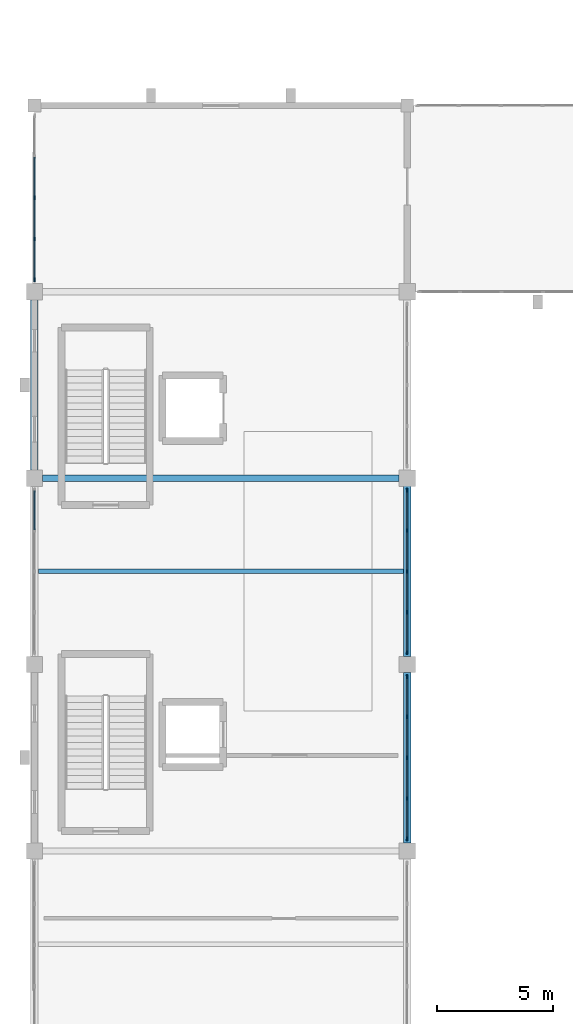
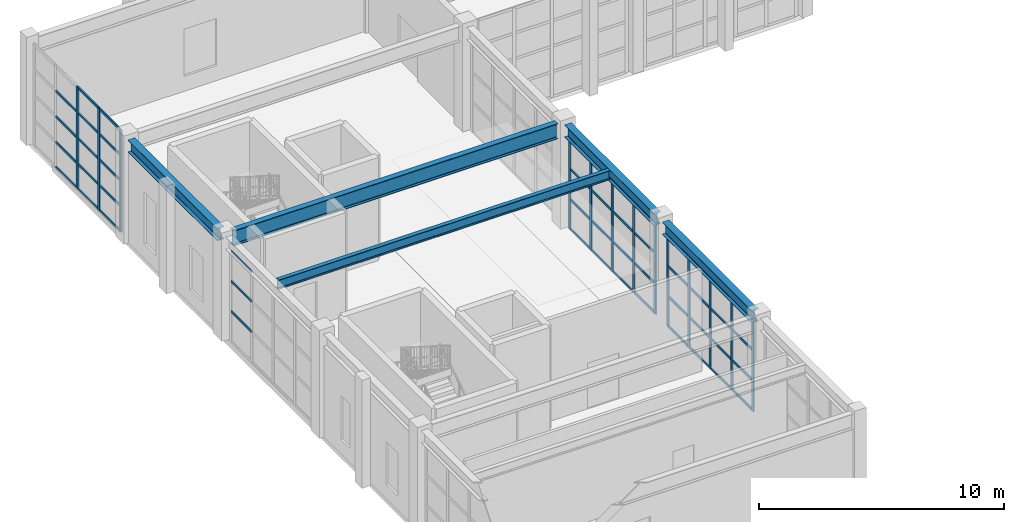
# One storey, part 15 of 82: 62 members, 5 beams, 4 elements without a shape of their own.
"""IFC4 building model written with IfcOpenShell, lengths in metres."""

from ifc_helpers import new_model, si_unit, direction, frame, origin, origin_2d, place, context, subcontext, project, spatial, rectangle, i_section, extrude, material, material_profile, profile_set, type_object, element, aggregate, save


model = new_model("IFC4")

# Units and contexts
model_context = context("Model", 3, precision=1e-05, world=origin(), true_north=direction((0.0, 1.0)))
body_context = subcontext(model_context, "Body", "Model", "MODEL_VIEW")
ifc_project = project(units=[si_unit("LENGTHUNIT", "METRE"), si_unit("AREAUNIT", "SQUARE_METRE"), si_unit("VOLUMEUNIT", "CUBIC_METRE"), si_unit("PLANEANGLEUNIT", "RADIAN"), si_unit("MASSUNIT", "GRAM", prefix="KILO")], contexts=[model_context])

# Site, building, storey
site_placement = place(None, origin())
site = spatial("IfcSite", under=ifc_project, at=site_placement, CompositionType="ELEMENT")
building_placement = place(site_placement, origin())
building = spatial("IfcBuilding", under=site, at=building_placement, Name="Serraluz Foothill Cableway Terminal", CompositionType="ELEMENT")
storey_placement = place(building_placement, frame((0.0, 0.0, 9.60009765625)))
storey = spatial("IfcBuildingStorey", under=building, at=storey_placement, Name="L02", CompositionType="ELEMENT", Elevation=9.60009765625)

# Beams
ifc_material_1 = material(Name="Steel ASTM A992 Grade 50", Category="steel")
ifc_material_profile_1 = material_profile(ifc_material_1, i_section(OverallWidth=0.324951171875, OverallDepth=0.615966796875, WebThickness=0.013916015625, FlangeThickness=0.021484375, FilletRadius=0.01806640625, at=origin_2d()), Name="W24X117")
ifc_profile_set_1 = profile_set([ifc_material_profile_1], Name="Steel ASTM A992 Grade 50")
beam_type_1 = type_object("IfcBeamType", Name="TYP-BM-W24X117", PredefinedType="BEAM", material=ifc_profile_set_1)
for number, where, z_axis, x_axis, name in (
    (1, (0.0, 48.345947265625, 4.841796875), (0.0, 1.0, 0.0), (-1.0, 0.0, 0.0), "Transverse Girder BM-Y-L02-0325"),
    (2, (16.0, 32.345947265625, 4.841796875), (0.0, 1.0, 0.0), (-1.0, 0.0, 0.0), "Transverse Girder BM-Y-L02-0327"),
    (3, (16.0, 40.345947265625, 4.841796875), (0.0, 1.0, 0.0), (-1.0, 0.0, 0.0), "Transverse Girder BM-Y-L02-0328"),
):
    element("IfcBeam", number, at=place(storey_placement, frame(where, z_axis=z_axis, x_axis=x_axis)), inside=storey, type_object=beam_type_1, Name=name, PredefinedType="BEAM", context=body_context, shape_type="SweptSolid", body=[
        extrude(i_section(OverallWidth=0.324951171875, OverallDepth=0.615966796875, WebThickness=0.013916015625, FlangeThickness=0.021484375, FilletRadius=0.01806640625, at=origin_2d()), origin(), (0.0, 0.0, 1.0), 7.30810546875),
    ])
ifc_material_profile_2 = material_profile(ifc_material_1, i_section(OverallWidth=0.26806640625, OverallDepth=0.77001953125, WebThickness=0.015625, FlangeThickness=0.025390625, FilletRadius=0.02197265625, at=origin_2d()), Name="W30X132")
ifc_profile_set_2 = profile_set([ifc_material_profile_2], Name="Steel ASTM A992 Grade 50")
beam_type_2 = type_object("IfcBeamType", Name="TYP-BM-W30X132", PredefinedType="BEAM", material=ifc_profile_set_2)
beam_1_placement = place(storey_placement, frame((0.345947265625, 48.0, 4.764892578125), z_axis=(1.0, 0.0, 0.0), x_axis=(0.0, 1.0, 0.0)))
element("IfcBeam", 4, at=beam_1_placement, inside=storey, type_object=beam_type_2, Name="Primary Girder BM-X-L02-0306", PredefinedType="BEAM", context=body_context, shape_type="SweptSolid", body=[
    extrude(i_section(OverallWidth=0.26806640625, OverallDepth=0.77001953125, WebThickness=0.015625, FlangeThickness=0.025390625, FilletRadius=0.02197265625, at=origin_2d()), origin(), (0.0, 0.0, 1.0), 15.30810546875),
])

# Curtain wall, members
ifc_material_2 = material(Name="Architectural bronze alloy C28000", Category="aluminium")
curtain_wall_type_1 = type_object("IfcCurtainWallType", Name="TYP-CW-680X420", PredefinedType="NOTDEFINED", material=ifc_material_2)
curtain_wall_1_placement = place(storey_placement, origin())
curtain_wall_1 = element("IfcCurtainWall", 5, at=curtain_wall_1_placement, inside=storey, type_object=curtain_wall_type_1, Name="Ribbed Glazed Curtain Wall CW-V5E-L02-32", PredefinedType="NOTDEFINED")
ifc_material_profile_3 = material_profile(ifc_material_2, rectangle(XDim=0.06005859375, YDim=0.159912109375, at=origin_2d()), Name="ALU MULLION 60x160")
ifc_profile_set_3 = profile_set([ifc_material_profile_3], Name="Architectural bronze alloy C28000")
member_type_1 = type_object("IfcMemberType", Name="TYP-CW-MUL-60X160", PredefinedType="MULLION", material=ifc_profile_set_3)
member_1_placement = place(storey_placement, frame((16.0, 39.47998046875, 0.0), z_axis=(0.0, 0.0, 1.0), x_axis=(1.0, 0.0, 0.0)))
member_1 = element("IfcMember", 6, at=member_1_placement, type_object=member_type_1, Name="CW-13 mullion 1", PredefinedType="MULLION", context=body_context, shape_type="SweptSolid", body=[
    extrude(rectangle(XDim=0.06005859375, YDim=0.159912109375, at=origin_2d()), origin(), (0.0, 0.0, 1.0), 4.533935546875),
])
member_2_placement = place(storey_placement, frame((16.0, 37.7548828125, 0.0), z_axis=(0.0, 0.0, 1.0), x_axis=(1.0, 0.0, 0.0)))
member_2 = element("IfcMember", 7, at=member_2_placement, type_object=member_type_1, Name="CW-13 mullion 2", PredefinedType="MULLION", context=body_context, shape_type="SweptSolid", body=[
    extrude(rectangle(XDim=0.06005859375, YDim=0.159912109375, at=origin_2d()), origin(), (0.0, 0.0, 1.0), 4.533935546875),
])
member_3_placement = place(storey_placement, frame((16.0, 36.0, 0.0), z_axis=(0.0, 0.0, 1.0), x_axis=(1.0, 0.0, 0.0)))
member_3 = element("IfcMember", 8, at=member_3_placement, type_object=member_type_1, Name="CW-13 mullion 3", PredefinedType="MULLION", context=body_context, shape_type="SweptSolid", body=[
    extrude(rectangle(XDim=0.06005859375, YDim=0.159912109375, at=origin_2d()), origin(), (0.0, 0.0, 1.0), 4.533935546875),
])
member_4_placement = place(storey_placement, frame((16.0, 34.2451171875, 0.0), z_axis=(0.0, 0.0, 1.0), x_axis=(1.0, 0.0, 0.0)))
member_4 = element("IfcMember", 9, at=member_4_placement, type_object=member_type_1, Name="CW-13 mullion 4", PredefinedType="MULLION", context=body_context, shape_type="SweptSolid", body=[
    extrude(rectangle(XDim=0.06005859375, YDim=0.159912109375, at=origin_2d()), origin(), (0.0, 0.0, 1.0), 4.533935546875),
])
member_5_placement = place(storey_placement, frame((16.0, 32.52001953125, 0.0), z_axis=(0.0, 0.0, 1.0), x_axis=(1.0, 0.0, 0.0)))
member_5 = element("IfcMember", 10, at=member_5_placement, type_object=member_type_1, Name="CW-13 mullion 5", PredefinedType="MULLION", context=body_context, shape_type="SweptSolid", body=[
    extrude(rectangle(XDim=0.06005859375, YDim=0.159912109375, at=origin_2d()), origin(), (0.0, 0.0, 1.0), 4.533935546875),
])

curtain_wall_type_2 = type_object("IfcCurtainWallType", Name="TYP-CW-480X380", PredefinedType="NOTDEFINED", material=ifc_material_2)
curtain_wall_2_placement = place(storey_placement, origin())
curtain_wall_2 = element("IfcCurtainWall", 11, at=curtain_wall_2_placement, inside=storey, type_object=curtain_wall_type_2, Name="Ribbed Glazed Curtain Wall CW-V5E-L02-40", PredefinedType="NOTDEFINED")
member_6_placement = place(storey_placement, frame((16.0, 47.47998046875, 0.0), z_axis=(0.0, 0.0, 1.0), x_axis=(1.0, 0.0, 0.0)))
member_6 = element("IfcMember", 12, at=member_6_placement, type_object=member_type_1, Name="CW-14 mullion 1", PredefinedType="MULLION", context=body_context, shape_type="SweptSolid", body=[
    extrude(rectangle(XDim=0.06005859375, YDim=0.159912109375, at=origin_2d()), origin(), (0.0, 0.0, 1.0), 4.533935546875),
])
member_7_placement = place(storey_placement, frame((16.0, 45.7548828125, 0.0), z_axis=(0.0, 0.0, 1.0), x_axis=(1.0, 0.0, 0.0)))
member_7 = element("IfcMember", 13, at=member_7_placement, type_object=member_type_1, Name="CW-14 mullion 2", PredefinedType="MULLION", context=body_context, shape_type="SweptSolid", body=[
    extrude(rectangle(XDim=0.06005859375, YDim=0.159912109375, at=origin_2d()), origin(), (0.0, 0.0, 1.0), 4.533935546875),
])
member_8_placement = place(storey_placement, frame((16.0, 44.0, 0.0), z_axis=(0.0, 0.0, 1.0), x_axis=(1.0, 0.0, 0.0)))
member_8 = element("IfcMember", 14, at=member_8_placement, type_object=member_type_1, Name="CW-14 mullion 3", PredefinedType="MULLION", context=body_context, shape_type="SweptSolid", body=[
    extrude(rectangle(XDim=0.06005859375, YDim=0.159912109375, at=origin_2d()), origin(), (0.0, 0.0, 1.0), 4.533935546875),
])
member_9_placement = place(storey_placement, frame((16.0, 42.2451171875, 0.0), z_axis=(0.0, 0.0, 1.0), x_axis=(1.0, 0.0, 0.0)))
member_9 = element("IfcMember", 15, at=member_9_placement, type_object=member_type_1, Name="CW-14 mullion 4", PredefinedType="MULLION", context=body_context, shape_type="SweptSolid", body=[
    extrude(rectangle(XDim=0.06005859375, YDim=0.159912109375, at=origin_2d()), origin(), (0.0, 0.0, 1.0), 4.533935546875),
])
member_10_placement = place(storey_placement, frame((16.0, 40.52001953125, 0.0), z_axis=(0.0, 0.0, 1.0), x_axis=(1.0, 0.0, 0.0)))
member_10 = element("IfcMember", 16, at=member_10_placement, type_object=member_type_1, Name="CW-14 mullion 5", PredefinedType="MULLION", context=body_context, shape_type="SweptSolid", body=[
    extrude(rectangle(XDim=0.06005859375, YDim=0.159912109375, at=origin_2d()), origin(), (0.0, 0.0, 1.0), 4.533935546875),
])

curtain_wall_type_3 = type_object("IfcCurtainWallType", Name="TYP-CW-540X420", PredefinedType="NOTDEFINED", material=ifc_material_2)
curtain_wall_3_placement = place(storey_placement, origin())
curtain_wall_3 = element("IfcCurtainWall", 17, at=curtain_wall_3_placement, inside=storey, type_object=curtain_wall_type_3, Name="Ribbed Glazed Curtain Wall CW-V5W-L02-56", PredefinedType="NOTDEFINED")
member_11_placement = place(storey_placement, frame((0.0, 56.52001953125, 0.0), z_axis=(0.0, 0.0, 1.0), x_axis=(-1.0, 0.0, 0.0)))
member_11 = element("IfcMember", 18, at=member_11_placement, type_object=member_type_1, Name="CW-10 mullion 1", PredefinedType="MULLION", context=body_context, shape_type="SweptSolid", body=[
    extrude(rectangle(XDim=0.06005859375, YDim=0.159912109375, at=origin_2d()), origin(), (0.0, 0.0, 1.0), 5.099853515625),
])
member_12_placement = place(storey_placement, frame((0.0, 58.263671875, 0.0), z_axis=(0.0, 0.0, 1.0), x_axis=(-1.0, 0.0, 0.0)))
member_12 = element("IfcMember", 19, at=member_12_placement, type_object=member_type_1, Name="CW-10 mullion 2", PredefinedType="MULLION", context=body_context, shape_type="SweptSolid", body=[
    extrude(rectangle(XDim=0.06005859375, YDim=0.159912109375, at=origin_2d()), origin(), (0.0, 0.0, 1.0), 5.099853515625),
])
member_13_placement = place(storey_placement, frame((0.0, 60.03759765625, 0.0), z_axis=(0.0, 0.0, 1.0), x_axis=(-1.0, 0.0, 0.0)))
member_13 = element("IfcMember", 20, at=member_13_placement, type_object=member_type_1, Name="CW-10 mullion 3", PredefinedType="MULLION", context=body_context, shape_type="SweptSolid", body=[
    extrude(rectangle(XDim=0.06005859375, YDim=0.159912109375, at=origin_2d()), origin(), (0.0, 0.0, 1.0), 5.099853515625),
])

# Member
ifc_material_profile_4 = material_profile(ifc_material_2, rectangle(XDim=0.06005859375, YDim=0.1201171875, at=origin_2d()), Name="ALU TRANSOM 60x120")
ifc_profile_set_4 = profile_set([ifc_material_profile_4], Name="Architectural bronze alloy C28000")
member_type_2 = type_object("IfcMemberType", Name="TYP-CW-TRN-60X120", PredefinedType="USERDEFINED", material=ifc_profile_set_4)
member_14_placement = place(storey_placement, frame((16.0, 39.449951171875, 0.02978515625), z_axis=(0.0, -1.0, 0.0), x_axis=(1.0, 0.0, 0.0)))
member_14 = element("IfcMember", 21, at=member_14_placement, type_object=member_type_2, Name="CW-13 transom 1.1", ObjectType="TRANSOM", PredefinedType="USERDEFINED", context=body_context, shape_type="SweptSolid", body=[
    extrude(rectangle(XDim=0.06005859375, YDim=0.1201171875, at=origin_2d()), origin(), (0.0, 0.0, 1.0), 1.6650390625),
])

member_15_placement = place(storey_placement, frame((16.0, 39.449951171875, 1.51123046875), z_axis=(0.0, -1.0, 0.0), x_axis=(1.0, 0.0, 0.0)))
member_15 = element("IfcMember", 22, at=member_15_placement, type_object=member_type_2, Name="CW-13 transom 1.2", ObjectType="TRANSOM", PredefinedType="USERDEFINED", context=body_context, shape_type="SweptSolid", body=[
    extrude(rectangle(XDim=0.06005859375, YDim=0.1201171875, at=origin_2d()), origin(), (0.0, 0.0, 1.0), 1.6650390625),
])

member_16_placement = place(storey_placement, frame((16.0, 39.449951171875, 3.022705078125), z_axis=(0.0, -1.0, 0.0), x_axis=(1.0, 0.0, 0.0)))
member_16 = element("IfcMember", 23, at=member_16_placement, type_object=member_type_2, Name="CW-13 transom 1.3", ObjectType="TRANSOM", PredefinedType="USERDEFINED", context=body_context, shape_type="SweptSolid", body=[
    extrude(rectangle(XDim=0.06005859375, YDim=0.1201171875, at=origin_2d()), origin(), (0.0, 0.0, 1.0), 1.6650390625),
])

member_17_placement = place(storey_placement, frame((16.0, 39.449951171875, 4.50390625), z_axis=(0.0, -1.0, 0.0), x_axis=(1.0, 0.0, 0.0)))
member_17 = element("IfcMember", 24, at=member_17_placement, type_object=member_type_2, Name="CW-13 transom 1.4", ObjectType="TRANSOM", PredefinedType="USERDEFINED", context=body_context, shape_type="SweptSolid", body=[
    extrude(rectangle(XDim=0.06005859375, YDim=0.1201171875, at=origin_2d()), origin(), (0.0, 0.0, 1.0), 1.6650390625),
])

member_18_placement = place(storey_placement, frame((16.0, 37.72509765625, 0.02978515625), z_axis=(0.0, -1.0, 0.0), x_axis=(1.0, 0.0, 0.0)))
member_18 = element("IfcMember", 25, at=member_18_placement, type_object=member_type_2, Name="CW-13 transom 2.1", ObjectType="TRANSOM", PredefinedType="USERDEFINED", context=body_context, shape_type="SweptSolid", body=[
    extrude(rectangle(XDim=0.06005859375, YDim=0.1201171875, at=origin_2d()), origin(), (0.0, 0.0, 1.0), 1.695068359375),
])

member_19_placement = place(storey_placement, frame((16.0, 37.72509765625, 1.51123046875), z_axis=(0.0, -1.0, 0.0), x_axis=(1.0, 0.0, 0.0)))
member_19 = element("IfcMember", 26, at=member_19_placement, type_object=member_type_2, Name="CW-13 transom 2.2", ObjectType="TRANSOM", PredefinedType="USERDEFINED", context=body_context, shape_type="SweptSolid", body=[
    extrude(rectangle(XDim=0.06005859375, YDim=0.1201171875, at=origin_2d()), origin(), (0.0, 0.0, 1.0), 1.695068359375),
])

member_20_placement = place(storey_placement, frame((16.0, 37.72509765625, 3.022705078125), z_axis=(0.0, -1.0, 0.0), x_axis=(1.0, 0.0, 0.0)))
member_20 = element("IfcMember", 27, at=member_20_placement, type_object=member_type_2, Name="CW-13 transom 2.3", ObjectType="TRANSOM", PredefinedType="USERDEFINED", context=body_context, shape_type="SweptSolid", body=[
    extrude(rectangle(XDim=0.06005859375, YDim=0.1201171875, at=origin_2d()), origin(), (0.0, 0.0, 1.0), 1.695068359375),
])

member_21_placement = place(storey_placement, frame((16.0, 37.72509765625, 4.50390625), z_axis=(0.0, -1.0, 0.0), x_axis=(1.0, 0.0, 0.0)))
member_21 = element("IfcMember", 28, at=member_21_placement, type_object=member_type_2, Name="CW-13 transom 2.4", ObjectType="TRANSOM", PredefinedType="USERDEFINED", context=body_context, shape_type="SweptSolid", body=[
    extrude(rectangle(XDim=0.06005859375, YDim=0.1201171875, at=origin_2d()), origin(), (0.0, 0.0, 1.0), 1.695068359375),
])

member_22_placement = place(storey_placement, frame((16.0, 35.969970703125, 0.02978515625), z_axis=(0.0, -1.0, 0.0), x_axis=(1.0, 0.0, 0.0)))
member_22 = element("IfcMember", 29, at=member_22_placement, type_object=member_type_2, Name="CW-13 transom 3.1", ObjectType="TRANSOM", PredefinedType="USERDEFINED", context=body_context, shape_type="SweptSolid", body=[
    extrude(rectangle(XDim=0.06005859375, YDim=0.1201171875, at=origin_2d()), origin(), (0.0, 0.0, 1.0), 1.695068359375),
])

member_23_placement = place(storey_placement, frame((16.0, 35.969970703125, 1.51123046875), z_axis=(0.0, -1.0, 0.0), x_axis=(1.0, 0.0, 0.0)))
member_23 = element("IfcMember", 30, at=member_23_placement, type_object=member_type_2, Name="CW-13 transom 3.2", ObjectType="TRANSOM", PredefinedType="USERDEFINED", context=body_context, shape_type="SweptSolid", body=[
    extrude(rectangle(XDim=0.06005859375, YDim=0.1201171875, at=origin_2d()), origin(), (0.0, 0.0, 1.0), 1.695068359375),
])

member_24_placement = place(storey_placement, frame((16.0, 35.969970703125, 3.022705078125), z_axis=(0.0, -1.0, 0.0), x_axis=(1.0, 0.0, 0.0)))
member_24 = element("IfcMember", 31, at=member_24_placement, type_object=member_type_2, Name="CW-13 transom 3.3", ObjectType="TRANSOM", PredefinedType="USERDEFINED", context=body_context, shape_type="SweptSolid", body=[
    extrude(rectangle(XDim=0.06005859375, YDim=0.1201171875, at=origin_2d()), origin(), (0.0, 0.0, 1.0), 1.695068359375),
])

member_25_placement = place(storey_placement, frame((16.0, 35.969970703125, 4.50390625), z_axis=(0.0, -1.0, 0.0), x_axis=(1.0, 0.0, 0.0)))
member_25 = element("IfcMember", 32, at=member_25_placement, type_object=member_type_2, Name="CW-13 transom 3.4", ObjectType="TRANSOM", PredefinedType="USERDEFINED", context=body_context, shape_type="SweptSolid", body=[
    extrude(rectangle(XDim=0.06005859375, YDim=0.1201171875, at=origin_2d()), origin(), (0.0, 0.0, 1.0), 1.695068359375),
])

member_26_placement = place(storey_placement, frame((16.0, 34.215087890625, 0.02978515625), z_axis=(0.0, -1.0, 0.0), x_axis=(1.0, 0.0, 0.0)))
member_26 = element("IfcMember", 33, at=member_26_placement, type_object=member_type_2, Name="CW-13 transom 4.1", ObjectType="TRANSOM", PredefinedType="USERDEFINED", context=body_context, shape_type="SweptSolid", body=[
    extrude(rectangle(XDim=0.06005859375, YDim=0.1201171875, at=origin_2d()), origin(), (0.0, 0.0, 1.0), 1.6650390625),
])

member_27_placement = place(storey_placement, frame((16.0, 34.215087890625, 1.51123046875), z_axis=(0.0, -1.0, 0.0), x_axis=(1.0, 0.0, 0.0)))
member_27 = element("IfcMember", 34, at=member_27_placement, type_object=member_type_2, Name="CW-13 transom 4.2", ObjectType="TRANSOM", PredefinedType="USERDEFINED", context=body_context, shape_type="SweptSolid", body=[
    extrude(rectangle(XDim=0.06005859375, YDim=0.1201171875, at=origin_2d()), origin(), (0.0, 0.0, 1.0), 1.6650390625),
])

member_28_placement = place(storey_placement, frame((16.0, 34.215087890625, 3.022705078125), z_axis=(0.0, -1.0, 0.0), x_axis=(1.0, 0.0, 0.0)))
member_28 = element("IfcMember", 35, at=member_28_placement, type_object=member_type_2, Name="CW-13 transom 4.3", ObjectType="TRANSOM", PredefinedType="USERDEFINED", context=body_context, shape_type="SweptSolid", body=[
    extrude(rectangle(XDim=0.06005859375, YDim=0.1201171875, at=origin_2d()), origin(), (0.0, 0.0, 1.0), 1.6650390625),
])

member_29_placement = place(storey_placement, frame((16.0, 34.215087890625, 4.50390625), z_axis=(0.0, -1.0, 0.0), x_axis=(1.0, 0.0, 0.0)))
member_29 = element("IfcMember", 36, at=member_29_placement, type_object=member_type_2, Name="CW-13 transom 4.4", ObjectType="TRANSOM", PredefinedType="USERDEFINED", context=body_context, shape_type="SweptSolid", body=[
    extrude(rectangle(XDim=0.06005859375, YDim=0.1201171875, at=origin_2d()), origin(), (0.0, 0.0, 1.0), 1.6650390625),
])

aggregate(curtain_wall_1, [member_1, member_2, member_3, member_4, member_5, member_14, member_15, member_16, member_17, member_18, member_19, member_20, member_21, member_22, member_23, member_24, member_25, member_26, member_27, member_28, member_29])

# Curtain wall, members
curtain_wall_type_4 = type_object("IfcCurtainWallType", Name="TYP-CW-520X440", PredefinedType="NOTDEFINED", material=ifc_material_2)
curtain_wall_4_placement = place(storey_placement, origin())
curtain_wall_4 = element("IfcCurtainWall", 37, at=curtain_wall_4_placement, inside=storey, type_object=curtain_wall_type_4, Name="Ribbed Glazed Curtain Wall CW-V5W-L02-40", PredefinedType="NOTDEFINED")
member_30_placement = place(storey_placement, frame((0.0, 45.784912109375, 1.51123046875), z_axis=(0.0, 1.0, 0.0), x_axis=(-1.0, 0.0, 0.0)))
member_30 = element("IfcMember", 38, at=member_30_placement, type_object=member_type_2, Name="CW-08 transom 4.2", ObjectType="TRANSOM", PredefinedType="USERDEFINED", context=body_context, shape_type="SweptSolid", body=[
    extrude(rectangle(XDim=0.06005859375, YDim=0.1201171875, at=origin_2d()), origin(), (0.0, 0.0, 1.0), 1.6650390625),
])
member_31_placement = place(storey_placement, frame((0.0, 45.784912109375, 3.022705078125), z_axis=(0.0, 1.0, 0.0), x_axis=(-1.0, 0.0, 0.0)))
member_31 = element("IfcMember", 39, at=member_31_placement, type_object=member_type_2, Name="CW-08 transom 4.3", ObjectType="TRANSOM", PredefinedType="USERDEFINED", context=body_context, shape_type="SweptSolid", body=[
    extrude(rectangle(XDim=0.06005859375, YDim=0.1201171875, at=origin_2d()), origin(), (0.0, 0.0, 1.0), 1.6650390625),
])
member_32_placement = place(storey_placement, frame((0.0, 45.784912109375, 4.50390625), z_axis=(0.0, 1.0, 0.0), x_axis=(-1.0, 0.0, 0.0)))
member_32 = element("IfcMember", 40, at=member_32_placement, type_object=member_type_2, Name="CW-08 transom 4.4", ObjectType="TRANSOM", PredefinedType="USERDEFINED", context=body_context, shape_type="SweptSolid", body=[
    extrude(rectangle(XDim=0.06005859375, YDim=0.1201171875, at=origin_2d()), origin(), (0.0, 0.0, 1.0), 1.6650390625),
])
aggregate(curtain_wall_4, [member_30, member_31, member_32])

# Member
member_33_placement = place(storey_placement, frame((16.0, 47.449951171875, 0.02978515625), z_axis=(0.0, -1.0, 0.0), x_axis=(1.0, 0.0, 0.0)))
member_33 = element("IfcMember", 41, at=member_33_placement, type_object=member_type_2, Name="CW-14 transom 1.1", ObjectType="TRANSOM", PredefinedType="USERDEFINED", context=body_context, shape_type="SweptSolid", body=[
    extrude(rectangle(XDim=0.06005859375, YDim=0.1201171875, at=origin_2d()), origin(), (0.0, 0.0, 1.0), 1.6650390625),
])

member_34_placement = place(storey_placement, frame((16.0, 47.449951171875, 1.51123046875), z_axis=(0.0, -1.0, 0.0), x_axis=(1.0, 0.0, 0.0)))
member_34 = element("IfcMember", 42, at=member_34_placement, type_object=member_type_2, Name="CW-14 transom 1.2", ObjectType="TRANSOM", PredefinedType="USERDEFINED", context=body_context, shape_type="SweptSolid", body=[
    extrude(rectangle(XDim=0.06005859375, YDim=0.1201171875, at=origin_2d()), origin(), (0.0, 0.0, 1.0), 1.6650390625),
])

member_35_placement = place(storey_placement, frame((16.0, 47.449951171875, 3.022705078125), z_axis=(0.0, -1.0, 0.0), x_axis=(1.0, 0.0, 0.0)))
member_35 = element("IfcMember", 43, at=member_35_placement, type_object=member_type_2, Name="CW-14 transom 1.3", ObjectType="TRANSOM", PredefinedType="USERDEFINED", context=body_context, shape_type="SweptSolid", body=[
    extrude(rectangle(XDim=0.06005859375, YDim=0.1201171875, at=origin_2d()), origin(), (0.0, 0.0, 1.0), 1.6650390625),
])

member_36_placement = place(storey_placement, frame((16.0, 47.449951171875, 4.50390625), z_axis=(0.0, -1.0, 0.0), x_axis=(1.0, 0.0, 0.0)))
member_36 = element("IfcMember", 44, at=member_36_placement, type_object=member_type_2, Name="CW-14 transom 1.4", ObjectType="TRANSOM", PredefinedType="USERDEFINED", context=body_context, shape_type="SweptSolid", body=[
    extrude(rectangle(XDim=0.06005859375, YDim=0.1201171875, at=origin_2d()), origin(), (0.0, 0.0, 1.0), 1.6650390625),
])

member_37_placement = place(storey_placement, frame((16.0, 45.72509765625, 0.02978515625), z_axis=(0.0, -1.0, 0.0), x_axis=(1.0, 0.0, 0.0)))
member_37 = element("IfcMember", 45, at=member_37_placement, type_object=member_type_2, Name="CW-14 transom 2.1", ObjectType="TRANSOM", PredefinedType="USERDEFINED", context=body_context, shape_type="SweptSolid", body=[
    extrude(rectangle(XDim=0.06005859375, YDim=0.1201171875, at=origin_2d()), origin(), (0.0, 0.0, 1.0), 1.695068359375),
])

member_38_placement = place(storey_placement, frame((16.0, 45.72509765625, 1.51123046875), z_axis=(0.0, -1.0, 0.0), x_axis=(1.0, 0.0, 0.0)))
member_38 = element("IfcMember", 46, at=member_38_placement, type_object=member_type_2, Name="CW-14 transom 2.2", ObjectType="TRANSOM", PredefinedType="USERDEFINED", context=body_context, shape_type="SweptSolid", body=[
    extrude(rectangle(XDim=0.06005859375, YDim=0.1201171875, at=origin_2d()), origin(), (0.0, 0.0, 1.0), 1.695068359375),
])

member_39_placement = place(storey_placement, frame((16.0, 45.72509765625, 3.022705078125), z_axis=(0.0, -1.0, 0.0), x_axis=(1.0, 0.0, 0.0)))
member_39 = element("IfcMember", 47, at=member_39_placement, type_object=member_type_2, Name="CW-14 transom 2.3", ObjectType="TRANSOM", PredefinedType="USERDEFINED", context=body_context, shape_type="SweptSolid", body=[
    extrude(rectangle(XDim=0.06005859375, YDim=0.1201171875, at=origin_2d()), origin(), (0.0, 0.0, 1.0), 1.695068359375),
])

member_40_placement = place(storey_placement, frame((16.0, 45.72509765625, 4.50390625), z_axis=(0.0, -1.0, 0.0), x_axis=(1.0, 0.0, 0.0)))
member_40 = element("IfcMember", 48, at=member_40_placement, type_object=member_type_2, Name="CW-14 transom 2.4", ObjectType="TRANSOM", PredefinedType="USERDEFINED", context=body_context, shape_type="SweptSolid", body=[
    extrude(rectangle(XDim=0.06005859375, YDim=0.1201171875, at=origin_2d()), origin(), (0.0, 0.0, 1.0), 1.695068359375),
])

member_41_placement = place(storey_placement, frame((16.0, 43.969970703125, 0.02978515625), z_axis=(0.0, -1.0, 0.0), x_axis=(1.0, 0.0, 0.0)))
member_41 = element("IfcMember", 49, at=member_41_placement, type_object=member_type_2, Name="CW-14 transom 3.1", ObjectType="TRANSOM", PredefinedType="USERDEFINED", context=body_context, shape_type="SweptSolid", body=[
    extrude(rectangle(XDim=0.06005859375, YDim=0.1201171875, at=origin_2d()), origin(), (0.0, 0.0, 1.0), 1.695068359375),
])

member_42_placement = place(storey_placement, frame((16.0, 43.969970703125, 1.51123046875), z_axis=(0.0, -1.0, 0.0), x_axis=(1.0, 0.0, 0.0)))
member_42 = element("IfcMember", 50, at=member_42_placement, type_object=member_type_2, Name="CW-14 transom 3.2", ObjectType="TRANSOM", PredefinedType="USERDEFINED", context=body_context, shape_type="SweptSolid", body=[
    extrude(rectangle(XDim=0.06005859375, YDim=0.1201171875, at=origin_2d()), origin(), (0.0, 0.0, 1.0), 1.695068359375),
])

member_43_placement = place(storey_placement, frame((16.0, 43.969970703125, 3.022705078125), z_axis=(0.0, -1.0, 0.0), x_axis=(1.0, 0.0, 0.0)))
member_43 = element("IfcMember", 51, at=member_43_placement, type_object=member_type_2, Name="CW-14 transom 3.3", ObjectType="TRANSOM", PredefinedType="USERDEFINED", context=body_context, shape_type="SweptSolid", body=[
    extrude(rectangle(XDim=0.06005859375, YDim=0.1201171875, at=origin_2d()), origin(), (0.0, 0.0, 1.0), 1.695068359375),
])

member_44_placement = place(storey_placement, frame((16.0, 43.969970703125, 4.50390625), z_axis=(0.0, -1.0, 0.0), x_axis=(1.0, 0.0, 0.0)))
member_44 = element("IfcMember", 52, at=member_44_placement, type_object=member_type_2, Name="CW-14 transom 3.4", ObjectType="TRANSOM", PredefinedType="USERDEFINED", context=body_context, shape_type="SweptSolid", body=[
    extrude(rectangle(XDim=0.06005859375, YDim=0.1201171875, at=origin_2d()), origin(), (0.0, 0.0, 1.0), 1.695068359375),
])

member_45_placement = place(storey_placement, frame((16.0, 42.215087890625, 0.02978515625), z_axis=(0.0, -1.0, 0.0), x_axis=(1.0, 0.0, 0.0)))
member_45 = element("IfcMember", 53, at=member_45_placement, type_object=member_type_2, Name="CW-14 transom 4.1", ObjectType="TRANSOM", PredefinedType="USERDEFINED", context=body_context, shape_type="SweptSolid", body=[
    extrude(rectangle(XDim=0.06005859375, YDim=0.1201171875, at=origin_2d()), origin(), (0.0, 0.0, 1.0), 1.6650390625),
])

member_46_placement = place(storey_placement, frame((16.0, 42.215087890625, 1.51123046875), z_axis=(0.0, -1.0, 0.0), x_axis=(1.0, 0.0, 0.0)))
member_46 = element("IfcMember", 54, at=member_46_placement, type_object=member_type_2, Name="CW-14 transom 4.2", ObjectType="TRANSOM", PredefinedType="USERDEFINED", context=body_context, shape_type="SweptSolid", body=[
    extrude(rectangle(XDim=0.06005859375, YDim=0.1201171875, at=origin_2d()), origin(), (0.0, 0.0, 1.0), 1.6650390625),
])

member_47_placement = place(storey_placement, frame((16.0, 42.215087890625, 3.022705078125), z_axis=(0.0, -1.0, 0.0), x_axis=(1.0, 0.0, 0.0)))
member_47 = element("IfcMember", 55, at=member_47_placement, type_object=member_type_2, Name="CW-14 transom 4.3", ObjectType="TRANSOM", PredefinedType="USERDEFINED", context=body_context, shape_type="SweptSolid", body=[
    extrude(rectangle(XDim=0.06005859375, YDim=0.1201171875, at=origin_2d()), origin(), (0.0, 0.0, 1.0), 1.6650390625),
])

member_48_placement = place(storey_placement, frame((16.0, 42.215087890625, 4.50390625), z_axis=(0.0, -1.0, 0.0), x_axis=(1.0, 0.0, 0.0)))
member_48 = element("IfcMember", 56, at=member_48_placement, type_object=member_type_2, Name="CW-14 transom 4.4", ObjectType="TRANSOM", PredefinedType="USERDEFINED", context=body_context, shape_type="SweptSolid", body=[
    extrude(rectangle(XDim=0.06005859375, YDim=0.1201171875, at=origin_2d()), origin(), (0.0, 0.0, 1.0), 1.6650390625),
])

aggregate(curtain_wall_2, [member_6, member_7, member_8, member_9, member_10, member_33, member_34, member_35, member_36, member_37, member_38, member_39, member_40, member_41, member_42, member_43, member_44, member_45, member_46, member_47, member_48])

member_49_placement = place(storey_placement, frame((0.0, 56.550048828125, 0.02978515625), z_axis=(0.0, 1.0, 0.0), x_axis=(-1.0, 0.0, 0.0)))
member_49 = element("IfcMember", 57, at=member_49_placement, type_object=member_type_2, Name="CW-10 transom 1.1", ObjectType="TRANSOM", PredefinedType="USERDEFINED", context=body_context, shape_type="SweptSolid", body=[
    extrude(rectangle(XDim=0.06005859375, YDim=0.1201171875, at=origin_2d()), origin(), (0.0, 0.0, 1.0), 1.68359375),
])

member_50_placement = place(storey_placement, frame((0.0, 56.550048828125, 1.27490234375), z_axis=(0.0, 1.0, 0.0), x_axis=(-1.0, 0.0, 0.0)))
member_50 = element("IfcMember", 58, at=member_50_placement, type_object=member_type_2, Name="CW-10 transom 1.2", ObjectType="TRANSOM", PredefinedType="USERDEFINED", context=body_context, shape_type="SweptSolid", body=[
    extrude(rectangle(XDim=0.06005859375, YDim=0.1201171875, at=origin_2d()), origin(), (0.0, 0.0, 1.0), 1.68359375),
])

member_51_placement = place(storey_placement, frame((0.0, 56.550048828125, 2.5498046875), z_axis=(0.0, 1.0, 0.0), x_axis=(-1.0, 0.0, 0.0)))
member_51 = element("IfcMember", 59, at=member_51_placement, type_object=member_type_2, Name="CW-10 transom 1.3", ObjectType="TRANSOM", PredefinedType="USERDEFINED", context=body_context, shape_type="SweptSolid", body=[
    extrude(rectangle(XDim=0.06005859375, YDim=0.1201171875, at=origin_2d()), origin(), (0.0, 0.0, 1.0), 1.68359375),
])

member_52_placement = place(storey_placement, frame((0.0, 56.550048828125, 3.824951171875), z_axis=(0.0, 1.0, 0.0), x_axis=(-1.0, 0.0, 0.0)))
member_52 = element("IfcMember", 60, at=member_52_placement, type_object=member_type_2, Name="CW-10 transom 1.4", ObjectType="TRANSOM", PredefinedType="USERDEFINED", context=body_context, shape_type="SweptSolid", body=[
    extrude(rectangle(XDim=0.06005859375, YDim=0.1201171875, at=origin_2d()), origin(), (0.0, 0.0, 1.0), 1.68359375),
])

member_53_placement = place(storey_placement, frame((0.0, 56.550048828125, 5.06982421875), z_axis=(0.0, 1.0, 0.0), x_axis=(-1.0, 0.0, 0.0)))
member_53 = element("IfcMember", 61, at=member_53_placement, type_object=member_type_2, Name="CW-10 transom 1.5", ObjectType="TRANSOM", PredefinedType="USERDEFINED", context=body_context, shape_type="SweptSolid", body=[
    extrude(rectangle(XDim=0.06005859375, YDim=0.1201171875, at=origin_2d()), origin(), (0.0, 0.0, 1.0), 1.68359375),
])

member_54_placement = place(storey_placement, frame((0.0, 58.293701171875, 0.02978515625), z_axis=(0.0, 1.0, 0.0), x_axis=(-1.0, 0.0, 0.0)))
member_54 = element("IfcMember", 62, at=member_54_placement, type_object=member_type_2, Name="CW-10 transom 2.1", ObjectType="TRANSOM", PredefinedType="USERDEFINED", context=body_context, shape_type="SweptSolid", body=[
    extrude(rectangle(XDim=0.06005859375, YDim=0.1201171875, at=origin_2d()), origin(), (0.0, 0.0, 1.0), 1.7138671875),
])

member_55_placement = place(storey_placement, frame((0.0, 58.293701171875, 1.27490234375), z_axis=(0.0, 1.0, 0.0), x_axis=(-1.0, 0.0, 0.0)))
member_55 = element("IfcMember", 63, at=member_55_placement, type_object=member_type_2, Name="CW-10 transom 2.2", ObjectType="TRANSOM", PredefinedType="USERDEFINED", context=body_context, shape_type="SweptSolid", body=[
    extrude(rectangle(XDim=0.06005859375, YDim=0.1201171875, at=origin_2d()), origin(), (0.0, 0.0, 1.0), 1.7138671875),
])

member_56_placement = place(storey_placement, frame((0.0, 58.293701171875, 2.5498046875), z_axis=(0.0, 1.0, 0.0), x_axis=(-1.0, 0.0, 0.0)))
member_56 = element("IfcMember", 64, at=member_56_placement, type_object=member_type_2, Name="CW-10 transom 2.3", ObjectType="TRANSOM", PredefinedType="USERDEFINED", context=body_context, shape_type="SweptSolid", body=[
    extrude(rectangle(XDim=0.06005859375, YDim=0.1201171875, at=origin_2d()), origin(), (0.0, 0.0, 1.0), 1.7138671875),
])

member_57_placement = place(storey_placement, frame((0.0, 58.293701171875, 3.824951171875), z_axis=(0.0, 1.0, 0.0), x_axis=(-1.0, 0.0, 0.0)))
member_57 = element("IfcMember", 65, at=member_57_placement, type_object=member_type_2, Name="CW-10 transom 2.4", ObjectType="TRANSOM", PredefinedType="USERDEFINED", context=body_context, shape_type="SweptSolid", body=[
    extrude(rectangle(XDim=0.06005859375, YDim=0.1201171875, at=origin_2d()), origin(), (0.0, 0.0, 1.0), 1.7138671875),
])

member_58_placement = place(storey_placement, frame((0.0, 58.293701171875, 5.06982421875), z_axis=(0.0, 1.0, 0.0), x_axis=(-1.0, 0.0, 0.0)))
member_58 = element("IfcMember", 66, at=member_58_placement, type_object=member_type_2, Name="CW-10 transom 2.5", ObjectType="TRANSOM", PredefinedType="USERDEFINED", context=body_context, shape_type="SweptSolid", body=[
    extrude(rectangle(XDim=0.06005859375, YDim=0.1201171875, at=origin_2d()), origin(), (0.0, 0.0, 1.0), 1.7138671875),
])

member_59_placement = place(storey_placement, frame((0.0, 60.0673828125, 0.02978515625), z_axis=(0.0, 1.0, 0.0), x_axis=(-1.0, 0.0, 0.0)))
member_59 = element("IfcMember", 67, at=member_59_placement, type_object=member_type_2, Name="CW-10 transom 3.1", ObjectType="TRANSOM", PredefinedType="USERDEFINED", context=body_context, shape_type="SweptSolid", body=[
    extrude(rectangle(XDim=0.06005859375, YDim=0.1201171875, at=origin_2d()), origin(), (0.0, 0.0, 1.0), 1.7138671875),
])

member_60_placement = place(storey_placement, frame((0.0, 60.0673828125, 1.27490234375), z_axis=(0.0, 1.0, 0.0), x_axis=(-1.0, 0.0, 0.0)))
member_60 = element("IfcMember", 68, at=member_60_placement, type_object=member_type_2, Name="CW-10 transom 3.2", ObjectType="TRANSOM", PredefinedType="USERDEFINED", context=body_context, shape_type="SweptSolid", body=[
    extrude(rectangle(XDim=0.06005859375, YDim=0.1201171875, at=origin_2d()), origin(), (0.0, 0.0, 1.0), 1.7138671875),
])

member_61_placement = place(storey_placement, frame((0.0, 60.0673828125, 2.5498046875), z_axis=(0.0, 1.0, 0.0), x_axis=(-1.0, 0.0, 0.0)))
member_61 = element("IfcMember", 69, at=member_61_placement, type_object=member_type_2, Name="CW-10 transom 3.3", ObjectType="TRANSOM", PredefinedType="USERDEFINED", context=body_context, shape_type="SweptSolid", body=[
    extrude(rectangle(XDim=0.06005859375, YDim=0.1201171875, at=origin_2d()), origin(), (0.0, 0.0, 1.0), 1.7138671875),
])

member_62_placement = place(storey_placement, frame((0.0, 60.0673828125, 3.824951171875), z_axis=(0.0, 1.0, 0.0), x_axis=(-1.0, 0.0, 0.0)))
member_62 = element("IfcMember", 70, at=member_62_placement, type_object=member_type_2, Name="CW-10 transom 3.4", ObjectType="TRANSOM", PredefinedType="USERDEFINED", context=body_context, shape_type="SweptSolid", body=[
    extrude(rectangle(XDim=0.06005859375, YDim=0.1201171875, at=origin_2d()), origin(), (0.0, 0.0, 1.0), 1.7138671875),
])

aggregate(curtain_wall_3, [member_11, member_12, member_13, member_49, member_50, member_51, member_52, member_53, member_54, member_55, member_56, member_57, member_58, member_59, member_60, member_61, member_62])

# Beam
ifc_material_profile_5 = material_profile(ifc_material_1, i_section(OverallWidth=0.193115234375, OverallDepth=0.467041015625, WebThickness=0.011474609375, FlangeThickness=0.01904296875, FilletRadius=0.014892578125, at=origin_2d()), Name="W18X65")
ifc_profile_set_5 = profile_set([ifc_material_profile_5], Name="Steel ASTM A992 Grade 50")
beam_type_3 = type_object("IfcBeamType", Name="TYP-JS-W18X65", PredefinedType="JOIST", material=ifc_profile_set_5)
beam_2_placement = place(storey_placement, frame((0.16748046875, 44.0, 4.91650390625), z_axis=(1.0, 0.0, 0.0), x_axis=(0.0, 1.0, 0.0)))
element("IfcBeam", 71, at=beam_2_placement, inside=storey, type_object=beam_type_3, Name="Secondary Floor Joist JS-L02-0125", PredefinedType="JOIST", context=body_context, shape_type="SweptSolid", body=[
    extrude(i_section(OverallWidth=0.193115234375, OverallDepth=0.467041015625, WebThickness=0.011474609375, FlangeThickness=0.01904296875, FilletRadius=0.014892578125, at=origin_2d()), origin(), (0.0, 0.0, 1.0), 15.6650390625),
])

save(model, "model.ifc")
